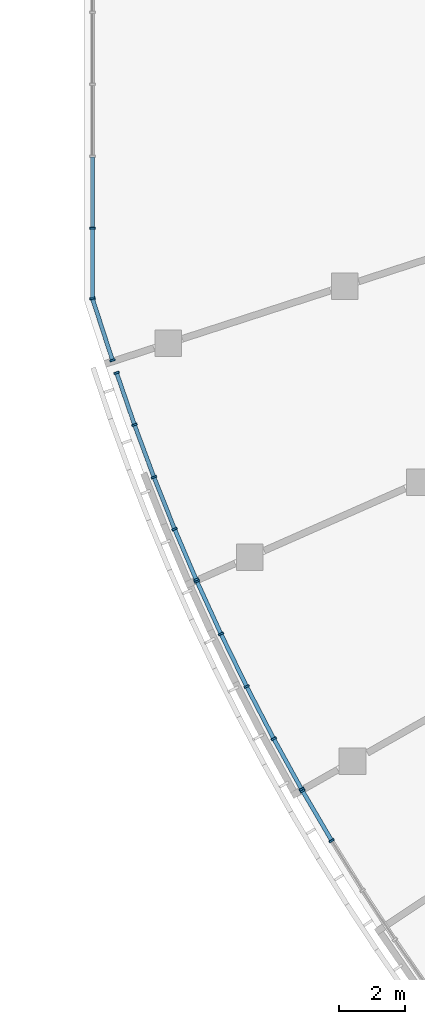
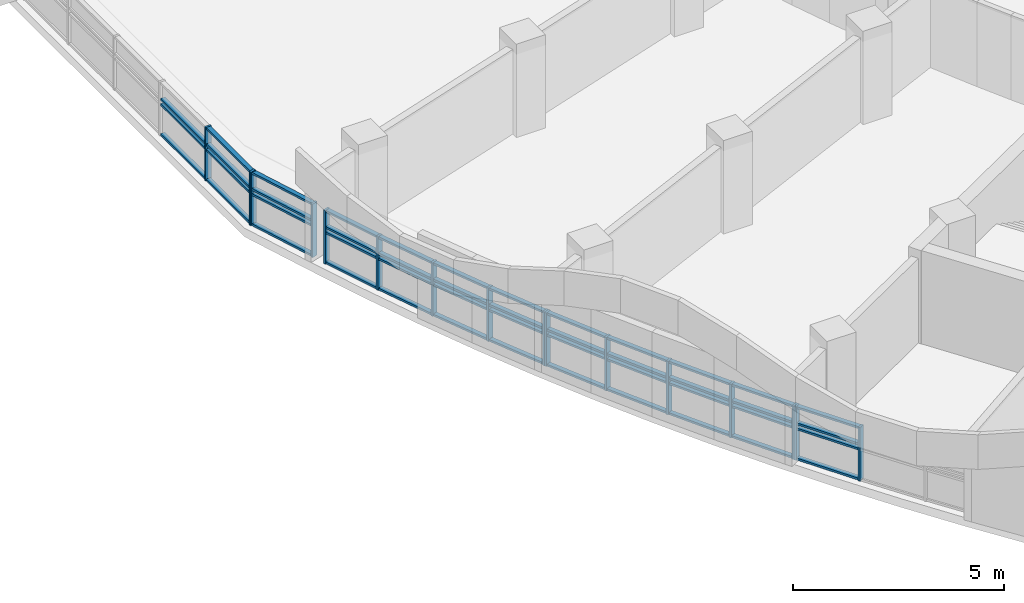
# One storey, part 12 of 89: 63 members, 5 elements without a shape of their own.
"""IFC4 building model written with IfcOpenShell, lengths in metres."""

from ifc_helpers import new_model, si_unit, direction, frame, origin, origin_2d, place, context, subcontext, project, spatial, rectangle, extrude, material, material_profile, profile_set, type_object, element, aggregate, save


model = new_model("IFC4")

# Units and contexts
model_context = context("Model", 3, precision=1e-05, world=origin(), true_north=direction((0.0, 1.0)))
body_context = subcontext(model_context, "Body", "Model", "MODEL_VIEW")
ifc_project = project(units=[si_unit("LENGTHUNIT", "METRE"), si_unit("AREAUNIT", "SQUARE_METRE"), si_unit("VOLUMEUNIT", "CUBIC_METRE"), si_unit("PLANEANGLEUNIT", "RADIAN"), si_unit("MASSUNIT", "GRAM", prefix="KILO")], contexts=[model_context])

# Site, building, storey
site_placement = place(None, origin())
site = spatial("IfcSite", under=ifc_project, at=site_placement, CompositionType="ELEMENT")
building_placement = place(site_placement, origin())
building = spatial("IfcBuilding", under=site, at=building_placement, Name="Bougainvillea Quay General Hospital", CompositionType="ELEMENT")
storey_placement = place(building_placement, frame((0.0, 0.0, 9.89990234375)))
storey = spatial("IfcBuildingStorey", under=building, at=storey_placement, Name="L01M", CompositionType="ELEMENT", Elevation=9.89990234375)

# Curtain wall, members
ifc_material_1 = material(Name="Aluminium curtain wall system, powder-coated glazed", Category="aluminium")
curtain_wall_type_1 = type_object("IfcCurtainWallType", Name="Unitised curtain wall CW-2167", PredefinedType="NOTDEFINED", material=ifc_material_1)
curtain_wall_1_placement = place(storey_placement, origin())
curtain_wall_1 = element("IfcCurtainWall", 1, at=curtain_wall_1_placement, inside=storey, type_object=curtain_wall_type_1, Name="CW-AE 00", PredefinedType="NOTDEFINED")
ifc_material_2 = material(Name="Aluminium mullion, powder-coated charcoal", Category="aluminium")
ifc_material_profile_1 = material_profile(ifc_material_2, rectangle(XDim=0.159912109375, YDim=0.06005859375, at=origin_2d()))
ifc_profile_set_1 = profile_set([ifc_material_profile_1], Name="Aluminium mullion, powder-coated charcoal")
member_type_1 = type_object("IfcMemberType", Name="Curtain wall mullion 160x60", PredefinedType="MULLION", material=ifc_profile_set_1)
member_1_placement = place(storey_placement, frame((42.25, 108.462890625, 0.0), z_axis=(0.0, 0.0, 1.0), x_axis=(1.0, 0.0, 0.0)))
member_1 = element("IfcMember", 2, at=member_1_placement, type_object=member_type_1, Name="CW-AE mullion 5", PredefinedType="MULLION", context=body_context, shape_type="SweptSolid", body=[
    extrude(rectangle(XDim=0.159912109375, YDim=0.06005859375, at=origin_2d()), origin(), (0.0, 0.0, 1.0), 1.550048828125),
])
member_2_placement = place(storey_placement, frame((42.25, 106.325927734375, 0.0), z_axis=(0.0, 0.0, 1.0), x_axis=(1.0, 0.0, 0.0)))
member_2 = element("IfcMember", 3, at=member_2_placement, type_object=member_type_1, Name="CW-AE mullion 6", PredefinedType="MULLION", context=body_context, shape_type="SweptSolid", body=[
    extrude(rectangle(XDim=0.159912109375, YDim=0.06005859375, at=origin_2d()), origin(), (0.0, 0.0, 1.0), 1.550048828125),
])

curtain_wall_type_2 = type_object("IfcCurtainWallType", Name="Unitised curtain wall CW-2027", PredefinedType="NOTDEFINED", material=ifc_material_1)
curtain_wall_2_placement = place(storey_placement, origin())
curtain_wall_2 = element("IfcCurtainWall", 4, at=curtain_wall_2_placement, inside=storey, type_object=curtain_wall_type_2, Name="CW-AE 00", PredefinedType="NOTDEFINED")
member_3_placement = place(storey_placement, frame((42.2470703125, 106.3447265625, 0.0), z_axis=(0.0, 0.0, 1.0), x_axis=(0.951073957858, 0.30896330961, 0.0)))
member_3 = element("IfcMember", 5, at=member_3_placement, type_object=member_type_1, Name="CW-AE mullion 1", PredefinedType="MULLION", context=body_context, shape_type="SweptSolid", body=[
    extrude(rectangle(XDim=0.159912109375, YDim=0.06005859375, at=origin_2d()), origin(), (0.0, 0.0, 1.0), 1.550048828125),
])
member_4_placement = place(storey_placement, frame((42.8544921875, 104.474853515625, 0.0), z_axis=(0.0, 0.0, 1.0), x_axis=(0.951073957858, 0.30896330961, 0.0)))
member_4 = element("IfcMember", 6, at=member_4_placement, type_object=member_type_1, Name="CW-AE mullion 2", PredefinedType="MULLION", context=body_context, shape_type="SweptSolid", body=[
    extrude(rectangle(XDim=0.159912109375, YDim=0.06005859375, at=origin_2d()), origin(), (0.0, 0.0, 1.0), 1.550048828125),
])

curtain_wall_type_3 = type_object("IfcCurtainWallType", Name="Unitised curtain wall CW-2100", PredefinedType="NOTDEFINED", material=ifc_material_1)
curtain_wall_3_placement = place(storey_placement, origin())
curtain_wall_3 = element("IfcCurtainWall", 7, at=curtain_wall_3_placement, inside=storey, type_object=curtain_wall_type_3, Name="CW-W06 a01b5", PredefinedType="NOTDEFINED")
member_5_placement = place(storey_placement, frame((49.46337890625, 89.99169921875, 0.0), z_axis=(0.0, 0.0, 1.0), x_axis=(-0.856438326455, -0.516249351553, 0.0)))
member_5 = element("IfcMember", 8, at=member_5_placement, type_object=member_type_1, Name="CW-W06 mullion 4", PredefinedType="MULLION", context=body_context, shape_type="SweptSolid", body=[
    extrude(rectangle(XDim=0.159912109375, YDim=0.06005859375, at=origin_2d()), origin(), (0.0, 0.0, 1.0), 1.550048828125),
])
member_6_placement = place(storey_placement, frame((48.584716796875, 91.491943359375, 0.0), z_axis=(0.0, 0.0, 1.0), x_axis=(-0.862915251166, -0.505348661129, 0.0)))
member_6 = element("IfcMember", 9, at=member_6_placement, type_object=member_type_1, Name="CW-W06 mullion 5", PredefinedType="MULLION", context=body_context, shape_type="SweptSolid", body=[
    extrude(rectangle(XDim=0.159912109375, YDim=0.06005859375, at=origin_2d()), origin(), (0.0, 0.0, 1.0), 1.550048828125),
])

curtain_wall_4_placement = place(storey_placement, origin())
curtain_wall_4 = element("IfcCurtainWall", 10, at=curtain_wall_4_placement, inside=storey, type_object=curtain_wall_type_3, Name="CW-W07 a01b6", PredefinedType="NOTDEFINED")
member_7_placement = place(storey_placement, frame((48.55517578125, 91.544189453125, 0.0), z_axis=(0.0, 0.0, 1.0), x_axis=(-0.875451874397, -0.483305302697, 0.0)))
member_7 = element("IfcMember", 11, at=member_7_placement, type_object=member_type_1, Name="CW-W07 mullion 1", PredefinedType="MULLION", context=body_context, shape_type="SweptSolid", body=[
    extrude(rectangle(XDim=0.159912109375, YDim=0.06005859375, at=origin_2d()), origin(), (0.0, 0.0, 1.0), 1.550048828125),
])
member_8_placement = place(storey_placement, frame((47.71484375, 93.06640625, 0.0), z_axis=(0.0, 0.0, 1.0), x_axis=(-0.881509557333, -0.472166178724, 0.0)))
member_8 = element("IfcMember", 12, at=member_8_placement, type_object=member_type_1, Name="CW-W07 mullion 2", PredefinedType="MULLION", context=body_context, shape_type="SweptSolid", body=[
    extrude(rectangle(XDim=0.159912109375, YDim=0.06005859375, at=origin_2d()), origin(), (0.0, 0.0, 1.0), 1.550048828125),
])
member_9_placement = place(storey_placement, frame((46.8994140625, 94.635986328125, 0.0), z_axis=(0.0, 0.0, 1.0), x_axis=(-0.893198796365, -0.449661995473, 0.0)))
member_9 = element("IfcMember", 13, at=member_9_placement, type_object=member_type_1, Name="CW-W07 mullion 3", PredefinedType="MULLION", context=body_context, shape_type="SweptSolid", body=[
    extrude(rectangle(XDim=0.159912109375, YDim=0.06005859375, at=origin_2d()), origin(), (0.0, 0.0, 1.0), 1.550048828125),
])
member_10_placement = place(storey_placement, frame((46.1240234375, 96.225830078125, 0.0), z_axis=(0.0, 0.0, 1.0), x_axis=(-0.904313640176, -0.426868645126, 0.0)))
member_10 = element("IfcMember", 14, at=member_10_placement, type_object=member_type_1, Name="CW-W07 mullion 4", PredefinedType="MULLION", context=body_context, shape_type="SweptSolid", body=[
    extrude(rectangle(XDim=0.159912109375, YDim=0.06005859375, at=origin_2d()), origin(), (0.0, 0.0, 1.0), 1.550048828125),
])
member_11_placement = place(storey_placement, frame((45.40185546875, 97.8076171875, 0.0), z_axis=(0.0, 0.0, 1.0), x_axis=(-0.909653415663, -0.415368105869, 0.0)))
member_11 = element("IfcMember", 15, at=member_11_placement, type_object=member_type_1, Name="CW-W07 mullion 5", PredefinedType="MULLION", context=body_context, shape_type="SweptSolid", body=[
    extrude(rectangle(XDim=0.159912109375, YDim=0.06005859375, at=origin_2d()), origin(), (0.0, 0.0, 1.0), 1.550048828125),
])

curtain_wall_5_placement = place(storey_placement, origin())
curtain_wall_5 = element("IfcCurtainWall", 16, at=curtain_wall_5_placement, inside=storey, type_object=curtain_wall_type_3, Name="CW-W08 a01b7", PredefinedType="NOTDEFINED")
member_12_placement = place(storey_placement, frame((45.377685546875, 97.862548828125, 0.0), z_axis=(0.0, 0.0, 1.0), x_axis=(-0.919658672607, -0.392718634519, 0.0)))
member_12 = element("IfcMember", 17, at=member_12_placement, type_object=member_type_1, Name="CW-W08 mullion 1", PredefinedType="MULLION", context=body_context, shape_type="SweptSolid", body=[
    extrude(rectangle(XDim=0.159912109375, YDim=0.06005859375, at=origin_2d()), origin(), (0.0, 0.0, 1.0), 1.550048828125),
])
member_13_placement = place(storey_placement, frame((44.7275390625, 99.384765625, 0.0), z_axis=(0.0, 0.0, 1.0), x_axis=(-0.924336164481, -0.381579159588, 0.0)))
member_13 = element("IfcMember", 18, at=member_13_placement, type_object=member_type_1, Name="CW-W08 mullion 2", PredefinedType="MULLION", context=body_context, shape_type="SweptSolid", body=[
    extrude(rectangle(XDim=0.159912109375, YDim=0.06005859375, at=origin_2d()), origin(), (0.0, 0.0, 1.0), 1.550048828125),
])
member_14_placement = place(storey_placement, frame((44.103271484375, 100.950439453125, 0.0), z_axis=(0.0, 0.0, 1.0), x_axis=(-0.9332857179, -0.359134750148, 0.0)))
member_14 = element("IfcMember", 19, at=member_14_placement, type_object=member_type_1, Name="CW-W08 mullion 3", PredefinedType="MULLION", context=body_context, shape_type="SweptSolid", body=[
    extrude(rectangle(XDim=0.159912109375, YDim=0.06005859375, at=origin_2d()), origin(), (0.0, 0.0, 1.0), 1.550048828125),
])
member_15_placement = place(storey_placement, frame((43.51708984375, 102.530517578125, 0.0), z_axis=(0.0, 0.0, 1.0), x_axis=(-0.941690376159, -0.336480661329, 0.0)))
member_15 = element("IfcMember", 20, at=member_15_placement, type_object=member_type_1, Name="CW-W08 mullion 4", PredefinedType="MULLION", context=body_context, shape_type="SweptSolid", body=[
    extrude(rectangle(XDim=0.159912109375, YDim=0.06005859375, at=origin_2d()), origin(), (0.0, 0.0, 1.0), 1.550048828125),
])
member_16_placement = place(storey_placement, frame((42.97900390625, 104.095947265625, 0.0), z_axis=(0.0, 0.0, 1.0), x_axis=(-0.945686823657, -0.325079115849, 0.0)))
member_16 = element("IfcMember", 21, at=member_16_placement, type_object=member_type_1, Name="CW-W08 mullion 5", PredefinedType="MULLION", context=body_context, shape_type="SweptSolid", body=[
    extrude(rectangle(XDim=0.159912109375, YDim=0.06005859375, at=origin_2d()), origin(), (0.0, 0.0, 1.0), 1.550048828125),
])

# Member
ifc_material_3 = material(Name="Aluminium transom, powder-coated charcoal", Category="aluminium")
ifc_material_profile_2 = material_profile(ifc_material_3, rectangle(XDim=0.1201171875, YDim=0.06005859375, at=origin_2d()))
ifc_profile_set_2 = profile_set([ifc_material_profile_2], Name="Aluminium transom, powder-coated charcoal")
member_type_2 = type_object("IfcMemberType", Name="Curtain wall transom 120x60", PredefinedType="USERDEFINED", material=ifc_profile_set_2)
member_17_placement = place(storey_placement, frame((42.25, 110.599609375, 0.030029296875), z_axis=(0.0, -1.0, 0.0), x_axis=(1.0, 0.0, 0.0)))
member_17 = element("IfcMember", 22, at=member_17_placement, type_object=member_type_2, Name="CW-AE transom 4.1", ObjectType="TRANSOM", PredefinedType="USERDEFINED", context=body_context, shape_type="SweptSolid", body=[
    extrude(rectangle(XDim=0.1201171875, YDim=0.06005859375, at=origin_2d()), origin(), (0.0, 0.0, 1.0), 2.106689453125),
])

member_18_placement = place(storey_placement, frame((42.25, 110.599609375, 0.900146484375), z_axis=(0.0, -1.0, 0.0), x_axis=(1.0, 0.0, 0.0)))
member_18 = element("IfcMember", 23, at=member_18_placement, type_object=member_type_2, Name="CW-AE transom 4.2", ObjectType="TRANSOM", PredefinedType="USERDEFINED", context=body_context, shape_type="SweptSolid", body=[
    extrude(rectangle(XDim=0.1201171875, YDim=0.06005859375, at=origin_2d()), origin(), (0.0, 0.0, 1.0), 2.106689453125),
])

member_19_placement = place(storey_placement, frame((42.25, 110.599609375, 1.050048828125), z_axis=(0.0, -1.0, 0.0), x_axis=(1.0, 0.0, 0.0)))
member_19 = element("IfcMember", 24, at=member_19_placement, type_object=member_type_2, Name="CW-AE transom 4.3", ObjectType="TRANSOM", PredefinedType="USERDEFINED", context=body_context, shape_type="SweptSolid", body=[
    extrude(rectangle(XDim=0.1201171875, YDim=0.06005859375, at=origin_2d()), origin(), (0.0, 0.0, 1.0), 2.106689453125),
])

member_20_placement = place(storey_placement, frame((42.25, 108.432861328125, 0.030029296875), z_axis=(0.0, -1.0, 0.0), x_axis=(1.0, 0.0, 0.0)))
member_20 = element("IfcMember", 25, at=member_20_placement, type_object=member_type_2, Name="CW-AE transom 5.1", ObjectType="TRANSOM", PredefinedType="USERDEFINED", context=body_context, shape_type="SweptSolid", body=[
    extrude(rectangle(XDim=0.1201171875, YDim=0.06005859375, at=origin_2d()), origin(), (0.0, 0.0, 1.0), 2.076904296875),
])

member_21_placement = place(storey_placement, frame((42.25, 108.432861328125, 0.900146484375), z_axis=(0.0, -1.0, 0.0), x_axis=(1.0, 0.0, 0.0)))
member_21 = element("IfcMember", 26, at=member_21_placement, type_object=member_type_2, Name="CW-AE transom 5.2", ObjectType="TRANSOM", PredefinedType="USERDEFINED", context=body_context, shape_type="SweptSolid", body=[
    extrude(rectangle(XDim=0.1201171875, YDim=0.06005859375, at=origin_2d()), origin(), (0.0, 0.0, 1.0), 2.076904296875),
])

member_22_placement = place(storey_placement, frame((42.25, 108.432861328125, 1.050048828125), z_axis=(0.0, -1.0, 0.0), x_axis=(1.0, 0.0, 0.0)))
member_22 = element("IfcMember", 27, at=member_22_placement, type_object=member_type_2, Name="CW-AE transom 5.3", ObjectType="TRANSOM", PredefinedType="USERDEFINED", context=body_context, shape_type="SweptSolid", body=[
    extrude(rectangle(XDim=0.1201171875, YDim=0.06005859375, at=origin_2d()), origin(), (0.0, 0.0, 1.0), 2.076904296875),
])

member_23_placement = place(storey_placement, frame((42.25, 108.432861328125, 1.52001953125), z_axis=(0.0, -1.0, 0.0), x_axis=(1.0, 0.0, 0.0)))
member_23 = element("IfcMember", 28, at=member_23_placement, type_object=member_type_2, Name="CW-AE transom 5.4", ObjectType="TRANSOM", PredefinedType="USERDEFINED", context=body_context, shape_type="SweptSolid", body=[
    extrude(rectangle(XDim=0.1201171875, YDim=0.06005859375, at=origin_2d()), origin(), (0.0, 0.0, 1.0), 2.076904296875),
])

aggregate(curtain_wall_1, [member_1, member_2, member_17, member_18, member_19, member_20, member_21, member_22, member_23])

member_24_placement = place(storey_placement, frame((42.25634765625, 106.316162109375, 0.030029296875), z_axis=(0.308955733663, -0.951076418926, 0.0), x_axis=(0.951076418926, 0.308955733663, 0.0)))
member_24 = element("IfcMember", 29, at=member_24_placement, type_object=member_type_2, Name="CW-AE transom 1.1", ObjectType="TRANSOM", PredefinedType="USERDEFINED", context=body_context, shape_type="SweptSolid", body=[
    extrude(rectangle(XDim=0.1201171875, YDim=0.06005859375, at=origin_2d()), origin(), (0.0, 0.0, 1.0), 1.906005859375),
])

member_25_placement = place(storey_placement, frame((42.25634765625, 106.316162109375, 0.900146484375), z_axis=(0.308955733663, -0.951076418926, 0.0), x_axis=(0.951076418926, 0.308955733663, 0.0)))
member_25 = element("IfcMember", 30, at=member_25_placement, type_object=member_type_2, Name="CW-AE transom 1.2", ObjectType="TRANSOM", PredefinedType="USERDEFINED", context=body_context, shape_type="SweptSolid", body=[
    extrude(rectangle(XDim=0.1201171875, YDim=0.06005859375, at=origin_2d()), origin(), (0.0, 0.0, 1.0), 1.906005859375),
])

member_26_placement = place(storey_placement, frame((42.25634765625, 106.316162109375, 1.050048828125), z_axis=(0.308955733663, -0.951076418926, 0.0), x_axis=(0.951076418926, 0.308955733663, 0.0)))
member_26 = element("IfcMember", 31, at=member_26_placement, type_object=member_type_2, Name="CW-AE transom 1.3", ObjectType="TRANSOM", PredefinedType="USERDEFINED", context=body_context, shape_type="SweptSolid", body=[
    extrude(rectangle(XDim=0.1201171875, YDim=0.06005859375, at=origin_2d()), origin(), (0.0, 0.0, 1.0), 1.906005859375),
])

member_27_placement = place(storey_placement, frame((42.25634765625, 106.316162109375, 1.52001953125), z_axis=(0.308955733663, -0.951076418926, 0.0), x_axis=(0.951076418926, 0.308955733663, 0.0)))
member_27 = element("IfcMember", 32, at=member_27_placement, type_object=member_type_2, Name="CW-AE transom 1.4", ObjectType="TRANSOM", PredefinedType="USERDEFINED", context=body_context, shape_type="SweptSolid", body=[
    extrude(rectangle(XDim=0.1201171875, YDim=0.06005859375, at=origin_2d()), origin(), (0.0, 0.0, 1.0), 1.906005859375),
])

aggregate(curtain_wall_2, [member_3, member_4, member_24, member_25, member_26, member_27])

member_28_placement = place(storey_placement, frame((49.4482421875, 90.017578125, 0.030029296875), z_axis=(-0.505398470554, 0.862886079365, 0.0), x_axis=(-0.862886079365, -0.505398470554, 0.0)))
member_28 = element("IfcMember", 33, at=member_28_placement, type_object=member_type_2, Name="CW-W06 transom 4.1", ObjectType="TRANSOM", PredefinedType="USERDEFINED", context=body_context, shape_type="SweptSolid", body=[
    extrude(rectangle(XDim=0.1201171875, YDim=0.06005859375, at=origin_2d()), origin(), (0.0, 0.0, 1.0), 1.6787109375),
])

member_29_placement = place(storey_placement, frame((49.4482421875, 90.017578125, 0.900146484375), z_axis=(-0.505398470554, 0.862886079365, 0.0), x_axis=(-0.862886079365, -0.505398470554, 0.0)))
member_29 = element("IfcMember", 34, at=member_29_placement, type_object=member_type_2, Name="CW-W06 transom 4.2", ObjectType="TRANSOM", PredefinedType="USERDEFINED", context=body_context, shape_type="SweptSolid", body=[
    extrude(rectangle(XDim=0.1201171875, YDim=0.06005859375, at=origin_2d()), origin(), (0.0, 0.0, 1.0), 1.6787109375),
])

member_30_placement = place(storey_placement, frame((49.4482421875, 90.017578125, 1.050048828125), z_axis=(-0.505398470554, 0.862886079365, 0.0), x_axis=(-0.862886079365, -0.505398470554, 0.0)))
member_30 = element("IfcMember", 35, at=member_30_placement, type_object=member_type_2, Name="CW-W06 transom 4.3", ObjectType="TRANSOM", PredefinedType="USERDEFINED", context=body_context, shape_type="SweptSolid", body=[
    extrude(rectangle(XDim=0.1201171875, YDim=0.06005859375, at=origin_2d()), origin(), (0.0, 0.0, 1.0), 1.6787109375),
])

member_31_placement = place(storey_placement, frame((49.4482421875, 90.017578125, 1.52001953125), z_axis=(-0.505398470554, 0.862886079365, 0.0), x_axis=(-0.862886079365, -0.505398470554, 0.0)))
member_31 = element("IfcMember", 36, at=member_31_placement, type_object=member_type_2, Name="CW-W06 transom 4.4", ObjectType="TRANSOM", PredefinedType="USERDEFINED", context=body_context, shape_type="SweptSolid", body=[
    extrude(rectangle(XDim=0.1201171875, YDim=0.06005859375, at=origin_2d()), origin(), (0.0, 0.0, 1.0), 1.6787109375),
])

aggregate(curtain_wall_3, [member_5, member_6, member_28, member_29, member_30, member_31])

member_32_placement = place(storey_placement, frame((48.54052734375, 91.570556640625, 0.030029296875), z_axis=(-0.483319558897, 0.875444003913, 0.0), x_axis=(-0.875444003913, -0.483319558897, 0.0)))
member_32 = element("IfcMember", 37, at=member_32_placement, type_object=member_type_2, Name="CW-W07 transom 1.1", ObjectType="TRANSOM", PredefinedType="USERDEFINED", context=body_context, shape_type="SweptSolid", body=[
    extrude(rectangle(XDim=0.1201171875, YDim=0.06005859375, at=origin_2d()), origin(), (0.0, 0.0, 1.0), 1.678466796875),
])

member_33_placement = place(storey_placement, frame((48.54052734375, 91.570556640625, 0.900146484375), z_axis=(-0.483319558897, 0.875444003913, 0.0), x_axis=(-0.875444003913, -0.483319558897, 0.0)))
member_33 = element("IfcMember", 38, at=member_33_placement, type_object=member_type_2, Name="CW-W07 transom 1.2", ObjectType="TRANSOM", PredefinedType="USERDEFINED", context=body_context, shape_type="SweptSolid", body=[
    extrude(rectangle(XDim=0.1201171875, YDim=0.06005859375, at=origin_2d()), origin(), (0.0, 0.0, 1.0), 1.678466796875),
])

member_34_placement = place(storey_placement, frame((48.54052734375, 91.570556640625, 1.050048828125), z_axis=(-0.483319558897, 0.875444003913, 0.0), x_axis=(-0.875444003913, -0.483319558897, 0.0)))
member_34 = element("IfcMember", 39, at=member_34_placement, type_object=member_type_2, Name="CW-W07 transom 1.3", ObjectType="TRANSOM", PredefinedType="USERDEFINED", context=body_context, shape_type="SweptSolid", body=[
    extrude(rectangle(XDim=0.1201171875, YDim=0.06005859375, at=origin_2d()), origin(), (0.0, 0.0, 1.0), 1.678466796875),
])

member_35_placement = place(storey_placement, frame((48.54052734375, 91.570556640625, 1.52001953125), z_axis=(-0.483319558897, 0.875444003913, 0.0), x_axis=(-0.875444003913, -0.483319558897, 0.0)))
member_35 = element("IfcMember", 40, at=member_35_placement, type_object=member_type_2, Name="CW-W07 transom 1.4", ObjectType="TRANSOM", PredefinedType="USERDEFINED", context=body_context, shape_type="SweptSolid", body=[
    extrude(rectangle(XDim=0.1201171875, YDim=0.06005859375, at=origin_2d()), origin(), (0.0, 0.0, 1.0), 1.678466796875),
])

member_36_placement = place(storey_placement, frame((47.700927734375, 93.093017578125, 0.030029296875), z_axis=(-0.460934299369, 0.887434263292, 0.0), x_axis=(-0.887434263292, -0.460934299369, 0.0)))
member_36 = element("IfcMember", 41, at=member_36_placement, type_object=member_type_2, Name="CW-W07 transom 2.1", ObjectType="TRANSOM", PredefinedType="USERDEFINED", context=body_context, shape_type="SweptSolid", body=[
    extrude(rectangle(XDim=0.1201171875, YDim=0.06005859375, at=origin_2d()), origin(), (0.0, 0.0, 1.0), 1.708740234375),
])

member_37_placement = place(storey_placement, frame((47.700927734375, 93.093017578125, 0.900146484375), z_axis=(-0.460934299369, 0.887434263292, 0.0), x_axis=(-0.887434263292, -0.460934299369, 0.0)))
member_37 = element("IfcMember", 42, at=member_37_placement, type_object=member_type_2, Name="CW-W07 transom 2.2", ObjectType="TRANSOM", PredefinedType="USERDEFINED", context=body_context, shape_type="SweptSolid", body=[
    extrude(rectangle(XDim=0.1201171875, YDim=0.06005859375, at=origin_2d()), origin(), (0.0, 0.0, 1.0), 1.708740234375),
])

member_38_placement = place(storey_placement, frame((47.700927734375, 93.093017578125, 1.050048828125), z_axis=(-0.460934299369, 0.887434263292, 0.0), x_axis=(-0.887434263292, -0.460934299369, 0.0)))
member_38 = element("IfcMember", 43, at=member_38_placement, type_object=member_type_2, Name="CW-W07 transom 2.3", ObjectType="TRANSOM", PredefinedType="USERDEFINED", context=body_context, shape_type="SweptSolid", body=[
    extrude(rectangle(XDim=0.1201171875, YDim=0.06005859375, at=origin_2d()), origin(), (0.0, 0.0, 1.0), 1.708740234375),
])

member_39_placement = place(storey_placement, frame((47.700927734375, 93.093017578125, 1.52001953125), z_axis=(-0.460934299369, 0.887434263292, 0.0), x_axis=(-0.887434263292, -0.460934299369, 0.0)))
member_39 = element("IfcMember", 44, at=member_39_placement, type_object=member_type_2, Name="CW-W07 transom 2.4", ObjectType="TRANSOM", PredefinedType="USERDEFINED", context=body_context, shape_type="SweptSolid", body=[
    extrude(rectangle(XDim=0.1201171875, YDim=0.06005859375, at=origin_2d()), origin(), (0.0, 0.0, 1.0), 1.708740234375),
])

member_40_placement = place(storey_placement, frame((46.88623046875, 94.6630859375, 0.030029296875), z_axis=(-0.4383335534, 0.898812380847, 0.0), x_axis=(-0.898812380847, -0.4383335534, 0.0)))
member_40 = element("IfcMember", 45, at=member_40_placement, type_object=member_type_2, Name="CW-W07 transom 3.1", ObjectType="TRANSOM", PredefinedType="USERDEFINED", context=body_context, shape_type="SweptSolid", body=[
    extrude(rectangle(XDim=0.1201171875, YDim=0.06005859375, at=origin_2d()), origin(), (0.0, 0.0, 1.0), 1.708740234375),
])

member_41_placement = place(storey_placement, frame((46.88623046875, 94.6630859375, 0.900146484375), z_axis=(-0.4383335534, 0.898812380847, 0.0), x_axis=(-0.898812380847, -0.4383335534, 0.0)))
member_41 = element("IfcMember", 46, at=member_41_placement, type_object=member_type_2, Name="CW-W07 transom 3.2", ObjectType="TRANSOM", PredefinedType="USERDEFINED", context=body_context, shape_type="SweptSolid", body=[
    extrude(rectangle(XDim=0.1201171875, YDim=0.06005859375, at=origin_2d()), origin(), (0.0, 0.0, 1.0), 1.708740234375),
])

member_42_placement = place(storey_placement, frame((46.88623046875, 94.6630859375, 1.050048828125), z_axis=(-0.4383335534, 0.898812380847, 0.0), x_axis=(-0.898812380847, -0.4383335534, 0.0)))
member_42 = element("IfcMember", 47, at=member_42_placement, type_object=member_type_2, Name="CW-W07 transom 3.3", ObjectType="TRANSOM", PredefinedType="USERDEFINED", context=body_context, shape_type="SweptSolid", body=[
    extrude(rectangle(XDim=0.1201171875, YDim=0.06005859375, at=origin_2d()), origin(), (0.0, 0.0, 1.0), 1.708740234375),
])

member_43_placement = place(storey_placement, frame((46.88623046875, 94.6630859375, 1.52001953125), z_axis=(-0.4383335534, 0.898812380847, 0.0), x_axis=(-0.898812380847, -0.4383335534, 0.0)))
member_43 = element("IfcMember", 48, at=member_43_placement, type_object=member_type_2, Name="CW-W07 transom 3.4", ObjectType="TRANSOM", PredefinedType="USERDEFINED", context=body_context, shape_type="SweptSolid", body=[
    extrude(rectangle(XDim=0.1201171875, YDim=0.06005859375, at=origin_2d()), origin(), (0.0, 0.0, 1.0), 1.708740234375),
])

member_44_placement = place(storey_placement, frame((46.111572265625, 96.253173828125, 0.030029296875), z_axis=(-0.415347290214, 0.909662920269, 0.0), x_axis=(-0.909662920269, -0.415347290214, 0.0)))
member_44 = element("IfcMember", 49, at=member_44_placement, type_object=member_type_2, Name="CW-W07 transom 4.1", ObjectType="TRANSOM", PredefinedType="USERDEFINED", context=body_context, shape_type="SweptSolid", body=[
    extrude(rectangle(XDim=0.1201171875, YDim=0.06005859375, at=origin_2d()), origin(), (0.0, 0.0, 1.0), 1.6787109375),
])

member_45_placement = place(storey_placement, frame((46.111572265625, 96.253173828125, 0.900146484375), z_axis=(-0.415347290214, 0.909662920269, 0.0), x_axis=(-0.909662920269, -0.415347290214, 0.0)))
member_45 = element("IfcMember", 50, at=member_45_placement, type_object=member_type_2, Name="CW-W07 transom 4.2", ObjectType="TRANSOM", PredefinedType="USERDEFINED", context=body_context, shape_type="SweptSolid", body=[
    extrude(rectangle(XDim=0.1201171875, YDim=0.06005859375, at=origin_2d()), origin(), (0.0, 0.0, 1.0), 1.6787109375),
])

member_46_placement = place(storey_placement, frame((46.111572265625, 96.253173828125, 1.050048828125), z_axis=(-0.415347290214, 0.909662920269, 0.0), x_axis=(-0.909662920269, -0.415347290214, 0.0)))
member_46 = element("IfcMember", 51, at=member_46_placement, type_object=member_type_2, Name="CW-W07 transom 4.3", ObjectType="TRANSOM", PredefinedType="USERDEFINED", context=body_context, shape_type="SweptSolid", body=[
    extrude(rectangle(XDim=0.1201171875, YDim=0.06005859375, at=origin_2d()), origin(), (0.0, 0.0, 1.0), 1.6787109375),
])

member_47_placement = place(storey_placement, frame((46.111572265625, 96.253173828125, 1.52001953125), z_axis=(-0.415347290214, 0.909662920269, 0.0), x_axis=(-0.909662920269, -0.415347290214, 0.0)))
member_47 = element("IfcMember", 52, at=member_47_placement, type_object=member_type_2, Name="CW-W07 transom 4.4", ObjectType="TRANSOM", PredefinedType="USERDEFINED", context=body_context, shape_type="SweptSolid", body=[
    extrude(rectangle(XDim=0.1201171875, YDim=0.06005859375, at=origin_2d()), origin(), (0.0, 0.0, 1.0), 1.6787109375),
])

aggregate(curtain_wall_4, [member_7, member_8, member_9, member_10, member_11, member_32, member_33, member_34, member_35, member_36, member_37, member_38, member_39, member_40, member_41, member_42, member_43, member_44, member_45, member_46, member_47])

member_48_placement = place(storey_placement, frame((45.365966796875, 97.89013671875, 0.030029296875), z_axis=(-0.392847767155, 0.919603518828, 0.0), x_axis=(-0.919603518828, -0.392847767155, 0.0)))
member_48 = element("IfcMember", 53, at=member_48_placement, type_object=member_type_2, Name="CW-W08 transom 1.1", ObjectType="TRANSOM", PredefinedType="USERDEFINED", context=body_context, shape_type="SweptSolid", body=[
    extrude(rectangle(XDim=0.1201171875, YDim=0.06005859375, at=origin_2d()), origin(), (0.0, 0.0, 1.0), 1.59521484375),
])

member_49_placement = place(storey_placement, frame((45.365966796875, 97.89013671875, 0.900146484375), z_axis=(-0.392847767155, 0.919603518828, 0.0), x_axis=(-0.919603518828, -0.392847767155, 0.0)))
member_49 = element("IfcMember", 54, at=member_49_placement, type_object=member_type_2, Name="CW-W08 transom 1.2", ObjectType="TRANSOM", PredefinedType="USERDEFINED", context=body_context, shape_type="SweptSolid", body=[
    extrude(rectangle(XDim=0.1201171875, YDim=0.06005859375, at=origin_2d()), origin(), (0.0, 0.0, 1.0), 1.59521484375),
])

member_50_placement = place(storey_placement, frame((45.365966796875, 97.89013671875, 1.050048828125), z_axis=(-0.392847767155, 0.919603518828, 0.0), x_axis=(-0.919603518828, -0.392847767155, 0.0)))
member_50 = element("IfcMember", 55, at=member_50_placement, type_object=member_type_2, Name="CW-W08 transom 1.3", ObjectType="TRANSOM", PredefinedType="USERDEFINED", context=body_context, shape_type="SweptSolid", body=[
    extrude(rectangle(XDim=0.1201171875, YDim=0.06005859375, at=origin_2d()), origin(), (0.0, 0.0, 1.0), 1.59521484375),
])

member_51_placement = place(storey_placement, frame((45.365966796875, 97.89013671875, 1.52001953125), z_axis=(-0.392847767155, 0.919603518828, 0.0), x_axis=(-0.919603518828, -0.392847767155, 0.0)))
member_51 = element("IfcMember", 56, at=member_51_placement, type_object=member_type_2, Name="CW-W08 transom 1.4", ObjectType="TRANSOM", PredefinedType="USERDEFINED", context=body_context, shape_type="SweptSolid", body=[
    extrude(rectangle(XDim=0.1201171875, YDim=0.06005859375, at=origin_2d()), origin(), (0.0, 0.0, 1.0), 1.59521484375),
])

member_52_placement = place(storey_placement, frame((44.716552734375, 99.412841796875, 0.030029296875), z_axis=(-0.370406363802, 0.928869810929, 0.0), x_axis=(-0.928869810929, -0.370406363802, 0.0)))
member_52 = element("IfcMember", 57, at=member_52_placement, type_object=member_type_2, Name="CW-W08 transom 2.1", ObjectType="TRANSOM", PredefinedType="USERDEFINED", context=body_context, shape_type="SweptSolid", body=[
    extrude(rectangle(XDim=0.1201171875, YDim=0.06005859375, at=origin_2d()), origin(), (0.0, 0.0, 1.0), 1.62548828125),
])

member_53_placement = place(storey_placement, frame((44.716552734375, 99.412841796875, 0.900146484375), z_axis=(-0.370406363802, 0.928869810929, 0.0), x_axis=(-0.928869810929, -0.370406363802, 0.0)))
member_53 = element("IfcMember", 58, at=member_53_placement, type_object=member_type_2, Name="CW-W08 transom 2.2", ObjectType="TRANSOM", PredefinedType="USERDEFINED", context=body_context, shape_type="SweptSolid", body=[
    extrude(rectangle(XDim=0.1201171875, YDim=0.06005859375, at=origin_2d()), origin(), (0.0, 0.0, 1.0), 1.62548828125),
])

member_54_placement = place(storey_placement, frame((44.716552734375, 99.412841796875, 1.050048828125), z_axis=(-0.370406363802, 0.928869810929, 0.0), x_axis=(-0.928869810929, -0.370406363802, 0.0)))
member_54 = element("IfcMember", 59, at=member_54_placement, type_object=member_type_2, Name="CW-W08 transom 2.3", ObjectType="TRANSOM", PredefinedType="USERDEFINED", context=body_context, shape_type="SweptSolid", body=[
    extrude(rectangle(XDim=0.1201171875, YDim=0.06005859375, at=origin_2d()), origin(), (0.0, 0.0, 1.0), 1.62548828125),
])

member_55_placement = place(storey_placement, frame((44.716552734375, 99.412841796875, 1.52001953125), z_axis=(-0.370406363802, 0.928869810929, 0.0), x_axis=(-0.928869810929, -0.370406363802, 0.0)))
member_55 = element("IfcMember", 60, at=member_55_placement, type_object=member_type_2, Name="CW-W08 transom 2.4", ObjectType="TRANSOM", PredefinedType="USERDEFINED", context=body_context, shape_type="SweptSolid", body=[
    extrude(rectangle(XDim=0.1201171875, YDim=0.06005859375, at=origin_2d()), origin(), (0.0, 0.0, 1.0), 1.62548828125),
])

member_56_placement = place(storey_placement, frame((44.093017578125, 100.978515625, 0.030029296875), z_axis=(-0.347862189765, 0.937545677251, 0.0), x_axis=(-0.937545677251, -0.347862189765, 0.0)))
member_56 = element("IfcMember", 61, at=member_56_placement, type_object=member_type_2, Name="CW-W08 transom 3.1", ObjectType="TRANSOM", PredefinedType="USERDEFINED", context=body_context, shape_type="SweptSolid", body=[
    extrude(rectangle(XDim=0.1201171875, YDim=0.06005859375, at=origin_2d()), origin(), (0.0, 0.0, 1.0), 1.62548828125),
])

member_57_placement = place(storey_placement, frame((44.093017578125, 100.978515625, 0.900146484375), z_axis=(-0.347862189765, 0.937545677251, 0.0), x_axis=(-0.937545677251, -0.347862189765, 0.0)))
member_57 = element("IfcMember", 62, at=member_57_placement, type_object=member_type_2, Name="CW-W08 transom 3.2", ObjectType="TRANSOM", PredefinedType="USERDEFINED", context=body_context, shape_type="SweptSolid", body=[
    extrude(rectangle(XDim=0.1201171875, YDim=0.06005859375, at=origin_2d()), origin(), (0.0, 0.0, 1.0), 1.62548828125),
])

member_58_placement = place(storey_placement, frame((44.093017578125, 100.978515625, 1.050048828125), z_axis=(-0.347862189765, 0.937545677251, 0.0), x_axis=(-0.937545677251, -0.347862189765, 0.0)))
member_58 = element("IfcMember", 63, at=member_58_placement, type_object=member_type_2, Name="CW-W08 transom 3.3", ObjectType="TRANSOM", PredefinedType="USERDEFINED", context=body_context, shape_type="SweptSolid", body=[
    extrude(rectangle(XDim=0.1201171875, YDim=0.06005859375, at=origin_2d()), origin(), (0.0, 0.0, 1.0), 1.62548828125),
])

member_59_placement = place(storey_placement, frame((44.093017578125, 100.978515625, 1.52001953125), z_axis=(-0.347862189765, 0.937545677251, 0.0), x_axis=(-0.937545677251, -0.347862189765, 0.0)))
member_59 = element("IfcMember", 64, at=member_59_placement, type_object=member_type_2, Name="CW-W08 transom 3.4", ObjectType="TRANSOM", PredefinedType="USERDEFINED", context=body_context, shape_type="SweptSolid", body=[
    extrude(rectangle(XDim=0.1201171875, YDim=0.06005859375, at=origin_2d()), origin(), (0.0, 0.0, 1.0), 1.62548828125),
])

member_60_placement = place(storey_placement, frame((43.50732421875, 102.558837890625, 0.030029296875), z_axis=(-0.325028447329, 0.945704239404, 0.0), x_axis=(-0.945704239404, -0.325028447329, 0.0)))
member_60 = element("IfcMember", 65, at=member_60_placement, type_object=member_type_2, Name="CW-W08 transom 4.1", ObjectType="TRANSOM", PredefinedType="USERDEFINED", context=body_context, shape_type="SweptSolid", body=[
    extrude(rectangle(XDim=0.1201171875, YDim=0.06005859375, at=origin_2d()), origin(), (0.0, 0.0, 1.0), 1.595458984375),
])

member_61_placement = place(storey_placement, frame((43.50732421875, 102.558837890625, 0.900146484375), z_axis=(-0.325028447329, 0.945704239404, 0.0), x_axis=(-0.945704239404, -0.325028447329, 0.0)))
member_61 = element("IfcMember", 66, at=member_61_placement, type_object=member_type_2, Name="CW-W08 transom 4.2", ObjectType="TRANSOM", PredefinedType="USERDEFINED", context=body_context, shape_type="SweptSolid", body=[
    extrude(rectangle(XDim=0.1201171875, YDim=0.06005859375, at=origin_2d()), origin(), (0.0, 0.0, 1.0), 1.595458984375),
])

member_62_placement = place(storey_placement, frame((43.50732421875, 102.558837890625, 1.050048828125), z_axis=(-0.325028447329, 0.945704239404, 0.0), x_axis=(-0.945704239404, -0.325028447329, 0.0)))
member_62 = element("IfcMember", 67, at=member_62_placement, type_object=member_type_2, Name="CW-W08 transom 4.3", ObjectType="TRANSOM", PredefinedType="USERDEFINED", context=body_context, shape_type="SweptSolid", body=[
    extrude(rectangle(XDim=0.1201171875, YDim=0.06005859375, at=origin_2d()), origin(), (0.0, 0.0, 1.0), 1.595458984375),
])

member_63_placement = place(storey_placement, frame((43.50732421875, 102.558837890625, 1.52001953125), z_axis=(-0.325028447329, 0.945704239404, 0.0), x_axis=(-0.945704239404, -0.325028447329, 0.0)))
member_63 = element("IfcMember", 68, at=member_63_placement, type_object=member_type_2, Name="CW-W08 transom 4.4", ObjectType="TRANSOM", PredefinedType="USERDEFINED", context=body_context, shape_type="SweptSolid", body=[
    extrude(rectangle(XDim=0.1201171875, YDim=0.06005859375, at=origin_2d()), origin(), (0.0, 0.0, 1.0), 1.595458984375),
])

aggregate(curtain_wall_5, [member_12, member_13, member_14, member_15, member_16, member_48, member_49, member_50, member_51, member_52, member_53, member_54, member_55, member_56, member_57, member_58, member_59, member_60, member_61, member_62, member_63])

save(model, "model.ifc")
